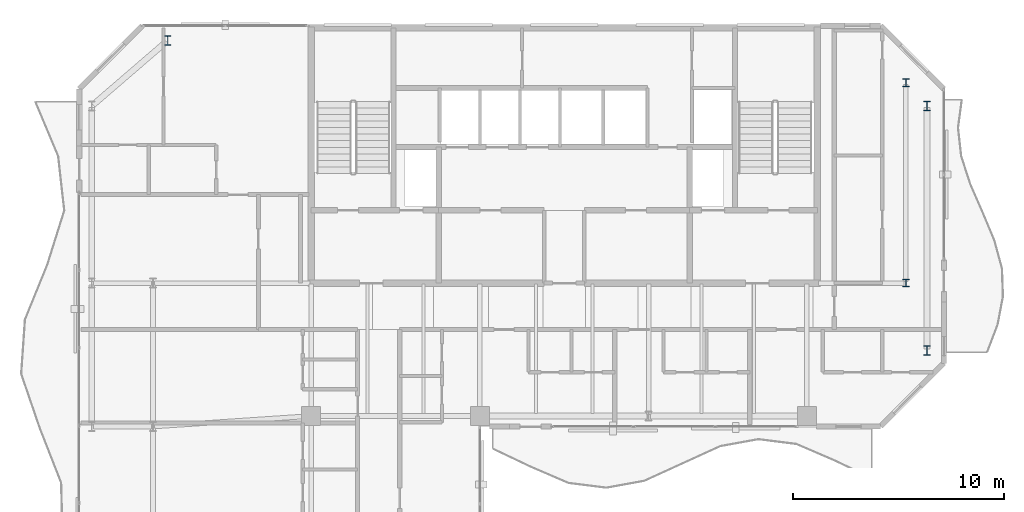
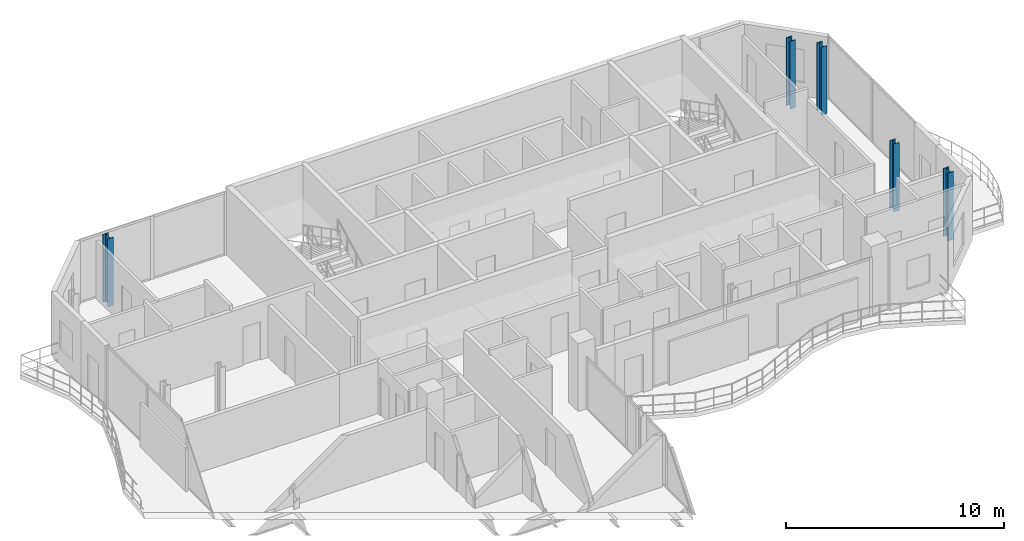
# One storey, part 2 of 22: 5 columns.
"""IFC4 building model written with IfcOpenShell, lengths in metres."""

from ifc_helpers import new_model, si_unit, direction, frame, origin, origin_2d, place, context, subcontext, project, spatial, i_section, extrude, material, material_profile, profile_set, type_object, element, save


model = new_model("IFC4")

# Units and contexts
model_context = context("Model", 3, precision=1e-05, world=origin(), true_north=direction((0.0, 1.0)))
body_context = subcontext(model_context, "Body", "Model", "MODEL_VIEW")
ifc_project = project(units=[si_unit("LENGTHUNIT", "METRE"), si_unit("AREAUNIT", "SQUARE_METRE"), si_unit("VOLUMEUNIT", "CUBIC_METRE"), si_unit("PLANEANGLEUNIT", "RADIAN"), si_unit("MASSUNIT", "GRAM", prefix="KILO")], contexts=[model_context])

# Site, building, storey
site_placement = place(None, origin())
site = spatial("IfcSite", under=ifc_project, at=site_placement, CompositionType="ELEMENT")
building_placement = place(site_placement, origin())
building = spatial("IfcBuilding", under=site, at=building_placement, Name="Catumbela Crestline Tower", CompositionType="ELEMENT")
storey_placement = place(building_placement, frame((0.0, 0.0, 233.6)))
storey = spatial("IfcBuildingStorey", under=building, at=storey_placement, Name="L60", CompositionType="ELEMENT", Elevation=233.6)

# Columns
ifc_material = material(Name="Structural steel S355J2", Category="steel")
ifc_material_profile_1 = material_profile(ifc_material, i_section(OverallWidth=0.3, OverallDepth=0.36, WebThickness=0.0125, FlangeThickness=0.0225, FilletRadius=0.027, at=origin_2d()), Name="HEB 360")
ifc_profile_set_1 = profile_set([ifc_material_profile_1], Name="Structural steel S355J2")
column_type_1 = type_object("IfcColumnType", Name="C-ST-HEB360", PredefinedType="COLUMN", material=ifc_profile_set_1)
for number, where, z_axis, x_axis, name in (
    (1, (44.2, 30.8, 0.0), (0.0, 0.0, 1.0), (1.0, 0.0, 0.0), "L60 Column CT-46-31 (HEB 360)"),
    (2, (44.2, 40.3, 0.0), (0.0, 0.0, 1.0), (1.0, 0.0, 0.0), "L60 Column CT-46-37 (HEB 360)"),
):
    element("IfcColumn", number, at=place(storey_placement, frame(where, z_axis=z_axis, x_axis=x_axis)), inside=storey, type_object=column_type_1, Name=name, PredefinedType="COLUMN", context=body_context, shape_type="SweptSolid", body=[
        extrude(i_section(OverallWidth=0.3, OverallDepth=0.36, WebThickness=0.0125, FlangeThickness=0.0225, FilletRadius=0.027, at=origin_2d()), origin(), (0.0, 0.0, 1.0), 3.8),
    ])
ifc_material_profile_2 = material_profile(ifc_material, i_section(OverallWidth=0.3, OverallDepth=0.45, WebThickness=0.014, FlangeThickness=0.026, FilletRadius=0.027, at=origin_2d()), Name="HEB 450")
ifc_profile_set_2 = profile_set([ifc_material_profile_2], Name="Structural steel S355J2")
column_type_2 = type_object("IfcColumnType", Name="C-ST-HEB450", PredefinedType="COLUMN", material=ifc_profile_set_2)
for number, where, z_axis, x_axis, name in (
    (3, (9.2, 42.3, 0.0), (0.0, 0.0, 1.0), (1.0, 0.0, 0.0), "L60 Column C-08-43 (HEB 450)"),
    (4, (45.2, 27.6, 0.0), (0.0, 0.0, 1.0), (1.0, 0.0, 0.0), "L60 Column C-46-24 (HEB 450)"),
    (5, (45.2, 39.2, 0.0), (0.0, 0.0, 1.0), (1.0, 0.0, 0.0), "L60 Column C-46-43 (HEB 450)"),
):
    element("IfcColumn", number, at=place(storey_placement, frame(where, z_axis=z_axis, x_axis=x_axis)), inside=storey, type_object=column_type_2, Name=name, PredefinedType="COLUMN", context=body_context, shape_type="SweptSolid", body=[
        extrude(i_section(OverallWidth=0.3, OverallDepth=0.45, WebThickness=0.014, FlangeThickness=0.026, FilletRadius=0.027, at=origin_2d()), origin(), (0.0, 0.0, 1.0), 3.8),
    ])

save(model, "model.ifc")
